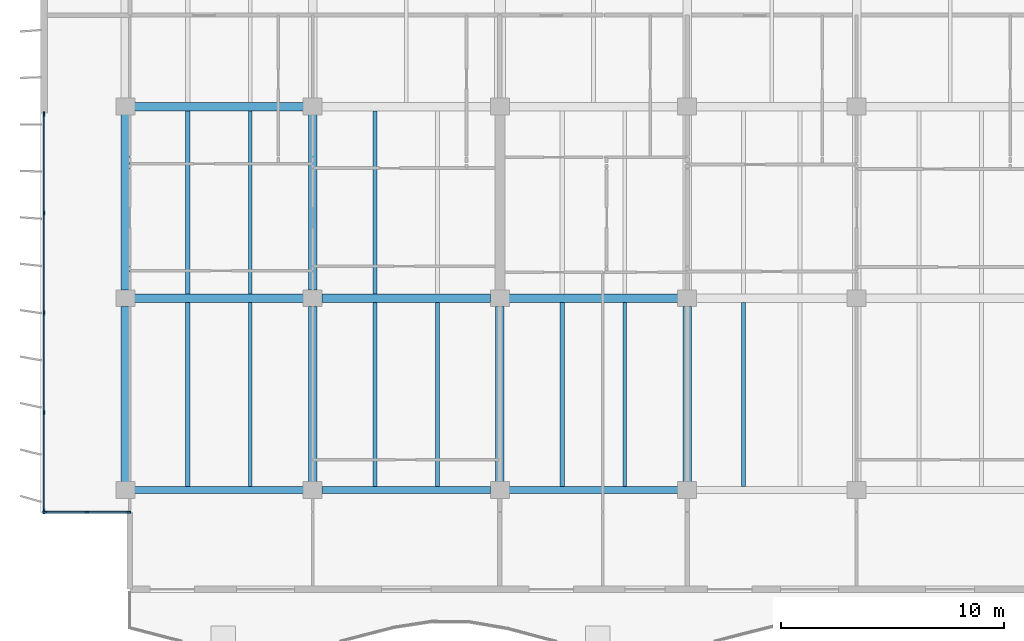
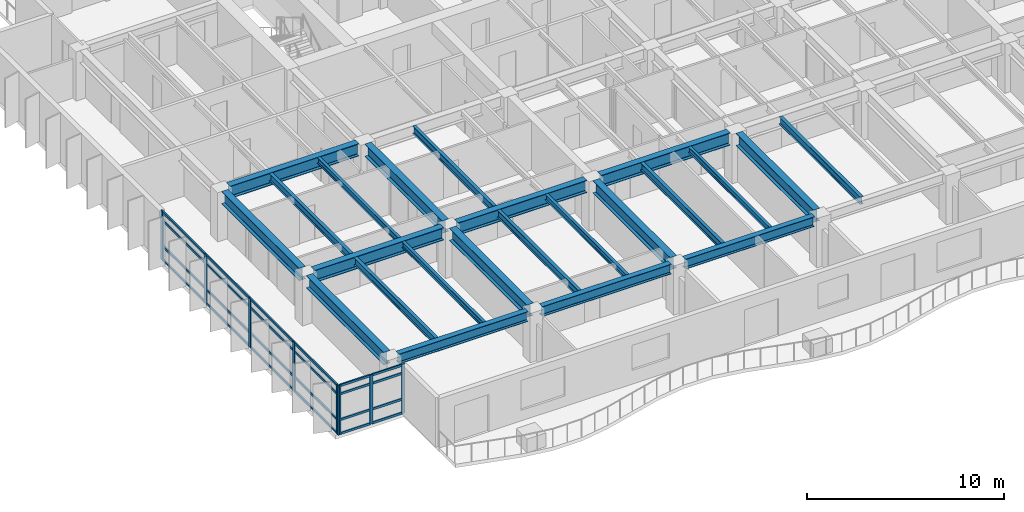
# One storey, part 2 of 19: 32 members, 23 beams, 2 elements without a shape of their own.
"""IFC4 building model written with IfcOpenShell, lengths in metres."""

from ifc_helpers import new_model, si_unit, direction, frame, origin, origin_2d, place, context, subcontext, project, spatial, rectangle, i_section, extrude, material, layer, layer_set, material_profile, profile_set, type_object, element, aggregate, save


model = new_model("IFC4")

# Units and contexts
model_context = context("Model", 3, precision=1e-05, world=origin(), true_north=direction((0.0, 1.0)))
body_context = subcontext(model_context, "Body", "Model", "MODEL_VIEW")
ifc_project = project(units=[si_unit("LENGTHUNIT", "METRE"), si_unit("AREAUNIT", "SQUARE_METRE"), si_unit("VOLUMEUNIT", "CUBIC_METRE"), si_unit("PLANEANGLEUNIT", "RADIAN"), si_unit("MASSUNIT", "GRAM", prefix="KILO")], contexts=[model_context])

# Site, building, storey
site_placement = place(None, origin())
site = spatial("IfcSite", under=ifc_project, at=site_placement, CompositionType="ELEMENT")
building_placement = place(site_placement, origin())
building = spatial("IfcBuilding", under=site, at=building_placement, Name="Caelmar Bay Residences", CompositionType="ELEMENT")
storey_placement = place(building_placement, frame((0.0, 0.0, 188.39990234375)))
storey = spatial("IfcBuildingStorey", under=building, at=storey_placement, Name="L52", CompositionType="ELEMENT", Elevation=188.39990234375)

# Beams
ifc_material_1 = material(Name="Steel ASTM A992 Grade 50", Category="steel")
ifc_material_profile_1 = material_profile(ifc_material_1, i_section(OverallWidth=0.381103515625, OverallDepth=0.77197265625, WebThickness=0.0166015625, FlangeThickness=0.027099609375, FilletRadius=0.0166015625, at=origin_2d()), Name="W30X173")
ifc_profile_set_1 = profile_set([ifc_material_profile_1], Name="Steel ASTM A992 Grade 50")
beam_type_1 = type_object("IfcBeamType", Name="BM-GRD-W30X173", PredefinedType="BEAM", material=ifc_profile_set_1)
beam_1_placement = place(storey_placement, frame((10.31494140625, 20.800048828125, 2.6640625), z_axis=(1.0, 0.0, 0.0), x_axis=(0.0, 1.0, 0.0)))
element("IfcBeam", 1, at=beam_1_placement, inside=storey, type_object=beam_type_1, Name="L52 East-West Girder Y=20.80 (9.9-18.3)", PredefinedType="BEAM", context=body_context, shape_type="SweptSolid", body=[
    extrude(i_section(OverallWidth=0.381103515625, OverallDepth=0.77197265625, WebThickness=0.0166015625, FlangeThickness=0.027099609375, FilletRadius=0.0166015625, at=origin_2d()), origin(), (0.0, 0.0, 1.0), 7.570068359375),
])
beam_2_placement = place(storey_placement, frame((18.715087890625, 20.800048828125, 2.6640625), z_axis=(1.0, 0.0, 0.0), x_axis=(0.0, 1.0, 0.0)))
element("IfcBeam", 2, at=beam_2_placement, inside=storey, type_object=beam_type_1, Name="L52 East-West Girder Y=20.80 (18.3-26.7)", PredefinedType="BEAM", context=body_context, shape_type="SweptSolid", body=[
    extrude(i_section(OverallWidth=0.381103515625, OverallDepth=0.77197265625, WebThickness=0.0166015625, FlangeThickness=0.027099609375, FilletRadius=0.0166015625, at=origin_2d()), origin(), (0.0, 0.0, 1.0), 7.56982421875),
])
for number, where, z_axis, x_axis, name in (
    (3, (27.114990234375, 20.800048828125, 2.6640625), (1.0, 0.0, 0.0), (0.0, 1.0, 0.0), "L52 East-West Girder Y=20.80 (26.7-35.1)"),
    (4, (10.31494140625, 29.39990234375, 2.6640625), (1.0, 0.0, 0.0), (0.0, 1.0, 0.0), "L52 East-West Girder Y=29.40 (9.9-18.3)"),
):
    element("IfcBeam", number, at=place(storey_placement, frame(where, z_axis=z_axis, x_axis=x_axis)), inside=storey, type_object=beam_type_1, Name=name, PredefinedType="BEAM", context=body_context, shape_type="SweptSolid", body=[
        extrude(i_section(OverallWidth=0.381103515625, OverallDepth=0.77197265625, WebThickness=0.0166015625, FlangeThickness=0.027099609375, FilletRadius=0.0166015625, at=origin_2d()), origin(), (0.0, 0.0, 1.0), 7.570068359375),
    ])
beam_3_placement = place(storey_placement, frame((9.89990234375, 12.56494140625, 2.6640625), z_axis=(0.0, 1.0, 0.0), x_axis=(-1.0, 0.0, 0.0)))
element("IfcBeam", 5, at=beam_3_placement, inside=storey, type_object=beam_type_1, Name="L52 North-South Girder X=9.90 (12.2-20.8)", PredefinedType="BEAM", context=body_context, shape_type="SweptSolid", body=[
    extrude(i_section(OverallWidth=0.381103515625, OverallDepth=0.77197265625, WebThickness=0.0166015625, FlangeThickness=0.027099609375, FilletRadius=0.0166015625, at=origin_2d()), origin(), (0.0, 0.0, 1.0), 7.8701171875),
])
beam_4_placement = place(storey_placement, frame((9.89990234375, 21.1650390625, 2.6640625), z_axis=(0.0, 1.0, 0.0), x_axis=(-1.0, 0.0, 0.0)))
element("IfcBeam", 6, at=beam_4_placement, inside=storey, type_object=beam_type_1, Name="L52 North-South Girder X=9.90 (20.8-29.4)", PredefinedType="BEAM", context=body_context, shape_type="SweptSolid", body=[
    extrude(i_section(OverallWidth=0.381103515625, OverallDepth=0.77197265625, WebThickness=0.0166015625, FlangeThickness=0.027099609375, FilletRadius=0.0166015625, at=origin_2d()), origin(), (0.0, 0.0, 1.0), 7.869873046875),
])
beam_5_placement = place(storey_placement, frame((18.300048828125, 12.56494140625, 2.6640625), z_axis=(0.0, 1.0, 0.0), x_axis=(-1.0, 0.0, 0.0)))
element("IfcBeam", 7, at=beam_5_placement, inside=storey, type_object=beam_type_1, Name="L52 North-South Girder X=18.30 (12.2-20.8)", PredefinedType="BEAM", context=body_context, shape_type="SweptSolid", body=[
    extrude(i_section(OverallWidth=0.381103515625, OverallDepth=0.77197265625, WebThickness=0.0166015625, FlangeThickness=0.027099609375, FilletRadius=0.0166015625, at=origin_2d()), origin(), (0.0, 0.0, 1.0), 7.8701171875),
])
beam_6_placement = place(storey_placement, frame((18.300048828125, 21.1650390625, 2.6640625), z_axis=(0.0, 1.0, 0.0), x_axis=(-1.0, 0.0, 0.0)))
element("IfcBeam", 8, at=beam_6_placement, inside=storey, type_object=beam_type_1, Name="L52 North-South Girder X=18.30 (20.8-29.4)", PredefinedType="BEAM", context=body_context, shape_type="SweptSolid", body=[
    extrude(i_section(OverallWidth=0.381103515625, OverallDepth=0.77197265625, WebThickness=0.0166015625, FlangeThickness=0.027099609375, FilletRadius=0.0166015625, at=origin_2d()), origin(), (0.0, 0.0, 1.0), 7.869873046875),
])
for number, where, z_axis, x_axis, name in (
    (9, (26.699951171875, 12.56494140625, 2.6640625), (0.0, 1.0, 0.0), (-1.0, 0.0, 0.0), "L52 North-South Girder X=26.70 (12.2-20.8)"),
    (10, (35.10009765625, 12.56494140625, 2.6640625), (0.0, 1.0, 0.0), (-1.0, 0.0, 0.0), "L52 North-South Girder X=35.10 (12.2-20.8)"),
):
    element("IfcBeam", number, at=place(storey_placement, frame(where, z_axis=z_axis, x_axis=x_axis)), inside=storey, type_object=beam_type_1, Name=name, PredefinedType="BEAM", context=body_context, shape_type="SweptSolid", body=[
        extrude(i_section(OverallWidth=0.381103515625, OverallDepth=0.77197265625, WebThickness=0.0166015625, FlangeThickness=0.027099609375, FilletRadius=0.0166015625, at=origin_2d()), origin(), (0.0, 0.0, 1.0), 7.8701171875),
    ])
ifc_material_profile_2 = material_profile(ifc_material_1, i_section(OverallWidth=0.1708984375, OverallDepth=0.35595703125, WebThickness=0.007080078125, FlangeThickness=0.01171875, FilletRadius=0.007568359375, at=origin_2d()), Name="W14X34")
ifc_profile_set_2 = profile_set([ifc_material_profile_2], Name="Steel ASTM A992 Grade 50")
beam_type_2 = type_object("IfcBeamType", Name="BM-JST-W14X34", PredefinedType="JOIST", material=ifc_profile_set_2)
for number, where, z_axis, x_axis, name in (
    (11, (15.5, 12.362548828125, 2.8720703125), (0.0, 1.0, 0.0), (-1.0, 0.0, 0.0), "L52 Composite Floor Joist 2"),
    (12, (23.89990234375, 12.362548828125, 2.8720703125), (0.0, 1.0, 0.0), (-1.0, 0.0, 0.0), "L52 Composite Floor Joist 4"),
    (13, (32.300048828125, 12.362548828125, 2.8720703125), (0.0, 1.0, 0.0), (-1.0, 0.0, 0.0), "L52 Composite Floor Joist 6"),
):
    element("IfcBeam", number, at=place(storey_placement, frame(where, z_axis=z_axis, x_axis=x_axis)), inside=storey, type_object=beam_type_2, Name=name, PredefinedType="JOIST", context=body_context, shape_type="SweptSolid", body=[
        extrude(i_section(OverallWidth=0.1708984375, OverallDepth=0.35595703125, WebThickness=0.007080078125, FlangeThickness=0.01171875, FilletRadius=0.007568359375, at=origin_2d()), origin(), (0.0, 0.0, 1.0), 8.2470703125),
    ])
beam_7_placement = place(storey_placement, frame((15.5, 20.990478515625, 2.8720703125), z_axis=(0.0, 1.0, 0.0), x_axis=(-1.0, 0.0, 0.0)))
element("IfcBeam", 14, at=beam_7_placement, inside=storey, type_object=beam_type_2, Name="L52 Composite Floor Joist 16", PredefinedType="JOIST", context=body_context, shape_type="SweptSolid", body=[
    extrude(i_section(OverallWidth=0.1708984375, OverallDepth=0.35595703125, WebThickness=0.007080078125, FlangeThickness=0.01171875, FilletRadius=0.007568359375, at=origin_2d()), origin(), (0.0, 0.0, 1.0), 8.218994140625),
])
ifc_material_profile_3 = material_profile(ifc_material_1, i_section(OverallWidth=0.19091796875, OverallDepth=0.45703125, WebThickness=0.009033203125, FlangeThickness=0.014404296875, FilletRadius=0.01025390625, at=origin_2d()), Name="W18X50")
ifc_profile_set_3 = profile_set([ifc_material_profile_3], Name="Steel ASTM A992 Grade 50")
beam_type_3 = type_object("IfcBeamType", Name="BM-JST-W18X50", PredefinedType="JOIST", material=ifc_profile_set_3)
for number, where, z_axis, x_axis, name in (
    (15, (12.699951171875, 12.362548828125, 2.821533203125), (0.0, 1.0, 0.0), (-1.0, 0.0, 0.0), "L52 Composite Floor Joist 1"),
    (16, (21.10009765625, 12.362548828125, 2.821533203125), (0.0, 1.0, 0.0), (-1.0, 0.0, 0.0), "L52 Composite Floor Joist 3"),
    (17, (29.5, 12.362548828125, 2.821533203125), (0.0, 1.0, 0.0), (-1.0, 0.0, 0.0), "L52 Composite Floor Joist 5"),
    (18, (37.63330078125, 12.362548828125, 2.821533203125), (0.0, 1.0, 0.0), (-1.0, 0.0, 0.0), "L52 Composite Floor Joist 7"),
):
    element("IfcBeam", number, at=place(storey_placement, frame(where, z_axis=z_axis, x_axis=x_axis)), inside=storey, type_object=beam_type_3, Name=name, PredefinedType="JOIST", context=body_context, shape_type="SweptSolid", body=[
        extrude(i_section(OverallWidth=0.19091796875, OverallDepth=0.45703125, WebThickness=0.009033203125, FlangeThickness=0.014404296875, FilletRadius=0.01025390625, at=origin_2d()), origin(), (0.0, 0.0, 1.0), 8.2470703125),
    ])
for number, where, z_axis, x_axis, name in (
    (19, (12.699951171875, 20.990478515625, 2.821533203125), (0.0, 1.0, 0.0), (-1.0, 0.0, 0.0), "L52 Composite Floor Joist 15"),
    (20, (21.10009765625, 20.990478515625, 2.821533203125), (0.0, 1.0, 0.0), (-1.0, 0.0, 0.0), "L52 Composite Floor Joist 17"),
):
    element("IfcBeam", number, at=place(storey_placement, frame(where, z_axis=z_axis, x_axis=x_axis)), inside=storey, type_object=beam_type_3, Name=name, PredefinedType="JOIST", context=body_context, shape_type="SweptSolid", body=[
        extrude(i_section(OverallWidth=0.19091796875, OverallDepth=0.45703125, WebThickness=0.009033203125, FlangeThickness=0.014404296875, FilletRadius=0.01025390625, at=origin_2d()), origin(), (0.0, 0.0, 1.0), 8.218994140625),
    ])
ifc_material_profile_4 = material_profile(ifc_material_1, i_section(OverallWidth=0.324951171875, OverallDepth=0.616943359375, WebThickness=0.013916015625, FlangeThickness=0.021484375, FilletRadius=0.0126953125, at=origin_2d()), Name="W24X117")
ifc_profile_set_4 = profile_set([ifc_material_profile_4], Name="Steel ASTM A992 Grade 50")
beam_type_4 = type_object("IfcBeamType", Name="BM-SPN-W24X117", PredefinedType="SPANDREL", material=ifc_profile_set_4)
beam_8_placement = place(storey_placement, frame((10.31494140625, 12.199951171875, 2.74169921875), z_axis=(1.0, 0.0, 0.0), x_axis=(0.0, 1.0, 0.0)))
element("IfcBeam", 21, at=beam_8_placement, inside=storey, type_object=beam_type_4, Name="L52 East-West Girder Y=12.20 (9.9-18.3)", PredefinedType="SPANDREL", context=body_context, shape_type="SweptSolid", body=[
    extrude(i_section(OverallWidth=0.324951171875, OverallDepth=0.616943359375, WebThickness=0.013916015625, FlangeThickness=0.021484375, FilletRadius=0.0126953125, at=origin_2d()), origin(), (0.0, 0.0, 1.0), 7.570068359375),
])
beam_9_placement = place(storey_placement, frame((18.715087890625, 12.199951171875, 2.74169921875), z_axis=(1.0, 0.0, 0.0), x_axis=(0.0, 1.0, 0.0)))
element("IfcBeam", 22, at=beam_9_placement, inside=storey, type_object=beam_type_4, Name="L52 East-West Girder Y=12.20 (18.3-26.7)", PredefinedType="SPANDREL", context=body_context, shape_type="SweptSolid", body=[
    extrude(i_section(OverallWidth=0.324951171875, OverallDepth=0.616943359375, WebThickness=0.013916015625, FlangeThickness=0.021484375, FilletRadius=0.0126953125, at=origin_2d()), origin(), (0.0, 0.0, 1.0), 7.56982421875),
])
beam_10_placement = place(storey_placement, frame((27.114990234375, 12.199951171875, 2.74169921875), z_axis=(1.0, 0.0, 0.0), x_axis=(0.0, 1.0, 0.0)))
element("IfcBeam", 23, at=beam_10_placement, inside=storey, type_object=beam_type_4, Name="L52 East-West Girder Y=12.20 (26.7-35.1)", PredefinedType="SPANDREL", context=body_context, shape_type="SweptSolid", body=[
    extrude(i_section(OverallWidth=0.324951171875, OverallDepth=0.616943359375, WebThickness=0.013916015625, FlangeThickness=0.021484375, FilletRadius=0.0126953125, at=origin_2d()), origin(), (0.0, 0.0, 1.0), 7.570068359375),
])

# Curtain wall, members
ifc_material_2 = material(Name="Anodised bronze aluminium 6063-T6 and laminated glass", Category="aluminium")
ifc_layer_1 = layer(ifc_material_2, 0.179931640625)
ifc_layer_set_1 = layer_set([ifc_layer_1], Name="Anodised bronze aluminium 6063-T6 and laminated glass")
curtain_wall_type_1 = type_object("IfcCurtainWallType", Name="CW6-NTC", PredefinedType="NOTDEFINED", material=ifc_layer_set_1)
curtain_wall_1_placement = place(storey_placement, origin())
curtain_wall_1 = element("IfcCurtainWall", 24, at=curtain_wall_1_placement, inside=storey, type_object=curtain_wall_type_1, Name="CW6 curtain wall L52", PredefinedType="NOTDEFINED")
ifc_material_3 = material(Name="Anodised bronze aluminium 6063-T6", Category="aluminium")
ifc_material_profile_5 = material_profile(ifc_material_3, rectangle(XDim=0.080078125, YDim=0.179931640625, at=origin_2d()), Name="CWM-80X180")
ifc_profile_set_5 = profile_set([ifc_material_profile_5], Name="Anodised bronze aluminium 6063-T6")
member_type_1 = type_object("IfcMemberType", Name="CWM-180", PredefinedType="MULLION", material=ifc_profile_set_5)
member_1_placement = place(storey_placement, frame((6.2900390625, 11.199951171875, 0.0), z_axis=(0.0, 0.0, 1.0), x_axis=(0.0, 1.0, 0.0)))
member_1 = element("IfcMember", 25, at=member_1_placement, type_object=member_type_1, Name="CW6 mullion 1", PredefinedType="MULLION", context=body_context, shape_type="SweptSolid", body=[
    extrude(rectangle(XDim=0.080078125, YDim=0.179931640625, at=origin_2d()), origin(), (0.0, 0.0, 1.0), 3.050048828125),
])
member_2_placement = place(storey_placement, frame((8.175048828125, 11.199951171875, 0.0), z_axis=(0.0, 0.0, 1.0), x_axis=(0.0, 1.0, 0.0)))
member_2 = element("IfcMember", 26, at=member_2_placement, type_object=member_type_1, Name="CW6 mullion 2", PredefinedType="MULLION", context=body_context, shape_type="SweptSolid", body=[
    extrude(rectangle(XDim=0.080078125, YDim=0.179931640625, at=origin_2d()), origin(), (0.0, 0.0, 1.0), 3.050048828125),
])
member_3_placement = place(storey_placement, frame((10.06005859375, 11.199951171875, 0.0), z_axis=(0.0, 0.0, 1.0), x_axis=(0.0, 1.0, 0.0)))
member_3 = element("IfcMember", 27, at=member_3_placement, type_object=member_type_1, Name="CW6 mullion 3", PredefinedType="MULLION", context=body_context, shape_type="SweptSolid", body=[
    extrude(rectangle(XDim=0.080078125, YDim=0.179931640625, at=origin_2d()), origin(), (0.0, 0.0, 1.0), 3.050048828125),
])

ifc_layer_2 = layer(ifc_material_2, 0.179931640625)
ifc_layer_set_2 = layer_set([ifc_layer_2], Name="Anodised bronze aluminium 6063-T6 and laminated glass")
curtain_wall_type_2 = type_object("IfcCurtainWallType", Name="CW4-Z3", PredefinedType="NOTDEFINED", material=ifc_layer_set_2)
curtain_wall_2_placement = place(storey_placement, origin())
curtain_wall_2 = element("IfcCurtainWall", 28, at=curtain_wall_2_placement, inside=storey, type_object=curtain_wall_type_2, Name="CW4 curtain wall L52", PredefinedType="NOTDEFINED")
ifc_material_profile_6 = material_profile(ifc_material_3, rectangle(XDim=0.080078125, YDim=0.219970703125, at=origin_2d()), Name="CWM-80X220")
ifc_profile_set_6 = profile_set([ifc_material_profile_6], Name="Anodised bronze aluminium 6063-T6")
member_type_2 = type_object("IfcMemberType", Name="CWM-220", PredefinedType="MULLION", material=ifc_profile_set_6)
member_4_placement = place(storey_placement, frame((6.25, 11.239990234375, 0.0), z_axis=(0.0, 0.0, 1.0), x_axis=(-1.0, 0.0, 0.0)))
member_4 = element("IfcMember", 29, at=member_4_placement, type_object=member_type_2, Name="CW4 mullion 1", PredefinedType="MULLION", context=body_context, shape_type="SweptSolid", body=[
    extrude(rectangle(XDim=0.080078125, YDim=0.219970703125, at=origin_2d()), origin(), (0.0, 0.0, 1.0), 3.050048828125),
])
member_5_placement = place(storey_placement, frame((6.25, 15.675048828125, 0.0), z_axis=(0.0, 0.0, 1.0), x_axis=(-1.0, 0.0, 0.0)))
member_5 = element("IfcMember", 30, at=member_5_placement, type_object=member_type_2, Name="CW4 mullion 2", PredefinedType="MULLION", context=body_context, shape_type="SweptSolid", body=[
    extrude(rectangle(XDim=0.080078125, YDim=0.219970703125, at=origin_2d()), origin(), (0.0, 0.0, 1.0), 3.050048828125),
])
member_6_placement = place(storey_placement, frame((6.25, 20.14990234375, 0.0), z_axis=(0.0, 0.0, 1.0), x_axis=(-1.0, 0.0, 0.0)))
member_6 = element("IfcMember", 31, at=member_6_placement, type_object=member_type_2, Name="CW4 mullion 3", PredefinedType="MULLION", context=body_context, shape_type="SweptSolid", body=[
    extrude(rectangle(XDim=0.080078125, YDim=0.219970703125, at=origin_2d()), origin(), (0.0, 0.0, 1.0), 3.050048828125),
])
member_7_placement = place(storey_placement, frame((6.25, 24.625, 0.0), z_axis=(0.0, 0.0, 1.0), x_axis=(-1.0, 0.0, 0.0)))
member_7 = element("IfcMember", 32, at=member_7_placement, type_object=member_type_2, Name="CW4 mullion 4", PredefinedType="MULLION", context=body_context, shape_type="SweptSolid", body=[
    extrude(rectangle(XDim=0.080078125, YDim=0.219970703125, at=origin_2d()), origin(), (0.0, 0.0, 1.0), 3.050048828125),
])
member_8_placement = place(storey_placement, frame((6.25, 29.06005859375, 0.0), z_axis=(0.0, 0.0, 1.0), x_axis=(-1.0, 0.0, 0.0)))
member_8 = element("IfcMember", 33, at=member_8_placement, type_object=member_type_2, Name="CW4 mullion 5", PredefinedType="MULLION", context=body_context, shape_type="SweptSolid", body=[
    extrude(rectangle(XDim=0.080078125, YDim=0.219970703125, at=origin_2d()), origin(), (0.0, 0.0, 1.0), 3.050048828125),
])

# Member
ifc_material_profile_7 = material_profile(ifc_material_3, rectangle(XDim=0.080078125, YDim=0.139892578125, at=origin_2d()), Name="CWT-80X140")
ifc_profile_set_7 = profile_set([ifc_material_profile_7], Name="Anodised bronze aluminium 6063-T6")
member_type_3 = type_object("IfcMemberType", Name="CWT-140", PredefinedType="NOTDEFINED", material=ifc_profile_set_7)
member_9_placement = place(storey_placement, frame((6.330078125, 11.199951171875, 0.0400390625), z_axis=(1.0, 0.0, 0.0), x_axis=(0.0, 1.0, 0.0)))
member_9 = element("IfcMember", 34, at=member_9_placement, type_object=member_type_3, Name="CW6 transom 1.1", ObjectType="TRANSOM", PredefinedType="USERDEFINED", context=body_context, shape_type="SweptSolid", body=[
    extrude(rectangle(XDim=0.080078125, YDim=0.139892578125, at=origin_2d()), origin(), (0.0, 0.0, 1.0), 1.804931640625),
])

member_10_placement = place(storey_placement, frame((6.330078125, 11.199951171875, 0.900146484375), z_axis=(1.0, 0.0, 0.0), x_axis=(0.0, 1.0, 0.0)))
member_10 = element("IfcMember", 35, at=member_10_placement, type_object=member_type_3, Name="CW6 transom 1.2", ObjectType="TRANSOM", PredefinedType="USERDEFINED", context=body_context, shape_type="SweptSolid", body=[
    extrude(rectangle(XDim=0.080078125, YDim=0.139892578125, at=origin_2d()), origin(), (0.0, 0.0, 1.0), 1.804931640625),
])

member_11_placement = place(storey_placement, frame((6.330078125, 11.199951171875, 2.5), z_axis=(1.0, 0.0, 0.0), x_axis=(0.0, 1.0, 0.0)))
member_11 = element("IfcMember", 36, at=member_11_placement, type_object=member_type_3, Name="CW6 transom 1.3", ObjectType="TRANSOM", PredefinedType="USERDEFINED", context=body_context, shape_type="SweptSolid", body=[
    extrude(rectangle(XDim=0.080078125, YDim=0.139892578125, at=origin_2d()), origin(), (0.0, 0.0, 1.0), 1.804931640625),
])

member_12_placement = place(storey_placement, frame((6.330078125, 11.199951171875, 3.010009765625), z_axis=(1.0, 0.0, 0.0), x_axis=(0.0, 1.0, 0.0)))
member_12 = element("IfcMember", 37, at=member_12_placement, type_object=member_type_3, Name="CW6 transom 1.4", ObjectType="TRANSOM", PredefinedType="USERDEFINED", context=body_context, shape_type="SweptSolid", body=[
    extrude(rectangle(XDim=0.080078125, YDim=0.139892578125, at=origin_2d()), origin(), (0.0, 0.0, 1.0), 1.804931640625),
])

member_13_placement = place(storey_placement, frame((8.215087890625, 11.199951171875, 0.0400390625), z_axis=(1.0, 0.0, 0.0), x_axis=(0.0, 1.0, 0.0)))
member_13 = element("IfcMember", 38, at=member_13_placement, type_object=member_type_3, Name="CW6 transom 2.1", ObjectType="TRANSOM", PredefinedType="USERDEFINED", context=body_context, shape_type="SweptSolid", body=[
    extrude(rectangle(XDim=0.080078125, YDim=0.139892578125, at=origin_2d()), origin(), (0.0, 0.0, 1.0), 1.804931640625),
])

member_14_placement = place(storey_placement, frame((8.215087890625, 11.199951171875, 0.900146484375), z_axis=(1.0, 0.0, 0.0), x_axis=(0.0, 1.0, 0.0)))
member_14 = element("IfcMember", 39, at=member_14_placement, type_object=member_type_3, Name="CW6 transom 2.2", ObjectType="TRANSOM", PredefinedType="USERDEFINED", context=body_context, shape_type="SweptSolid", body=[
    extrude(rectangle(XDim=0.080078125, YDim=0.139892578125, at=origin_2d()), origin(), (0.0, 0.0, 1.0), 1.804931640625),
])

member_15_placement = place(storey_placement, frame((8.215087890625, 11.199951171875, 2.5), z_axis=(1.0, 0.0, 0.0), x_axis=(0.0, 1.0, 0.0)))
member_15 = element("IfcMember", 40, at=member_15_placement, type_object=member_type_3, Name="CW6 transom 2.3", ObjectType="TRANSOM", PredefinedType="USERDEFINED", context=body_context, shape_type="SweptSolid", body=[
    extrude(rectangle(XDim=0.080078125, YDim=0.139892578125, at=origin_2d()), origin(), (0.0, 0.0, 1.0), 1.804931640625),
])

member_16_placement = place(storey_placement, frame((8.215087890625, 11.199951171875, 3.010009765625), z_axis=(1.0, 0.0, 0.0), x_axis=(0.0, 1.0, 0.0)))
member_16 = element("IfcMember", 41, at=member_16_placement, type_object=member_type_3, Name="CW6 transom 2.4", ObjectType="TRANSOM", PredefinedType="USERDEFINED", context=body_context, shape_type="SweptSolid", body=[
    extrude(rectangle(XDim=0.080078125, YDim=0.139892578125, at=origin_2d()), origin(), (0.0, 0.0, 1.0), 1.804931640625),
])

aggregate(curtain_wall_1, [member_1, member_2, member_3, member_9, member_10, member_11, member_12, member_13, member_14, member_15, member_16])

member_17_placement = place(storey_placement, frame((6.25, 11.280029296875, 0.0400390625), z_axis=(0.0, 1.0, 0.0), x_axis=(-1.0, 0.0, 0.0)))
member_17 = element("IfcMember", 42, at=member_17_placement, type_object=member_type_3, Name="CW4 transom 1.1", ObjectType="TRANSOM", PredefinedType="USERDEFINED", context=body_context, shape_type="SweptSolid", body=[
    extrude(rectangle(XDim=0.080078125, YDim=0.139892578125, at=origin_2d()), origin(), (0.0, 0.0, 1.0), 4.35498046875),
])

member_18_placement = place(storey_placement, frame((6.25, 11.280029296875, 0.900146484375), z_axis=(0.0, 1.0, 0.0), x_axis=(-1.0, 0.0, 0.0)))
member_18 = element("IfcMember", 43, at=member_18_placement, type_object=member_type_3, Name="CW4 transom 1.2", ObjectType="TRANSOM", PredefinedType="USERDEFINED", context=body_context, shape_type="SweptSolid", body=[
    extrude(rectangle(XDim=0.080078125, YDim=0.139892578125, at=origin_2d()), origin(), (0.0, 0.0, 1.0), 4.35498046875),
])

member_19_placement = place(storey_placement, frame((6.25, 11.280029296875, 2.5), z_axis=(0.0, 1.0, 0.0), x_axis=(-1.0, 0.0, 0.0)))
member_19 = element("IfcMember", 44, at=member_19_placement, type_object=member_type_3, Name="CW4 transom 1.3", ObjectType="TRANSOM", PredefinedType="USERDEFINED", context=body_context, shape_type="SweptSolid", body=[
    extrude(rectangle(XDim=0.080078125, YDim=0.139892578125, at=origin_2d()), origin(), (0.0, 0.0, 1.0), 4.35498046875),
])

member_20_placement = place(storey_placement, frame((6.25, 11.280029296875, 3.010009765625), z_axis=(0.0, 1.0, 0.0), x_axis=(-1.0, 0.0, 0.0)))
member_20 = element("IfcMember", 45, at=member_20_placement, type_object=member_type_3, Name="CW4 transom 1.4", ObjectType="TRANSOM", PredefinedType="USERDEFINED", context=body_context, shape_type="SweptSolid", body=[
    extrude(rectangle(XDim=0.080078125, YDim=0.139892578125, at=origin_2d()), origin(), (0.0, 0.0, 1.0), 4.35498046875),
])

member_21_placement = place(storey_placement, frame((6.25, 15.715087890625, 0.0400390625), z_axis=(0.0, 1.0, 0.0), x_axis=(-1.0, 0.0, 0.0)))
member_21 = element("IfcMember", 46, at=member_21_placement, type_object=member_type_3, Name="CW4 transom 2.1", ObjectType="TRANSOM", PredefinedType="USERDEFINED", context=body_context, shape_type="SweptSolid", body=[
    extrude(rectangle(XDim=0.080078125, YDim=0.139892578125, at=origin_2d()), origin(), (0.0, 0.0, 1.0), 4.39501953125),
])

member_22_placement = place(storey_placement, frame((6.25, 15.715087890625, 0.900146484375), z_axis=(0.0, 1.0, 0.0), x_axis=(-1.0, 0.0, 0.0)))
member_22 = element("IfcMember", 47, at=member_22_placement, type_object=member_type_3, Name="CW4 transom 2.2", ObjectType="TRANSOM", PredefinedType="USERDEFINED", context=body_context, shape_type="SweptSolid", body=[
    extrude(rectangle(XDim=0.080078125, YDim=0.139892578125, at=origin_2d()), origin(), (0.0, 0.0, 1.0), 4.39501953125),
])

member_23_placement = place(storey_placement, frame((6.25, 15.715087890625, 2.5), z_axis=(0.0, 1.0, 0.0), x_axis=(-1.0, 0.0, 0.0)))
member_23 = element("IfcMember", 48, at=member_23_placement, type_object=member_type_3, Name="CW4 transom 2.3", ObjectType="TRANSOM", PredefinedType="USERDEFINED", context=body_context, shape_type="SweptSolid", body=[
    extrude(rectangle(XDim=0.080078125, YDim=0.139892578125, at=origin_2d()), origin(), (0.0, 0.0, 1.0), 4.39501953125),
])

member_24_placement = place(storey_placement, frame((6.25, 15.715087890625, 3.010009765625), z_axis=(0.0, 1.0, 0.0), x_axis=(-1.0, 0.0, 0.0)))
member_24 = element("IfcMember", 49, at=member_24_placement, type_object=member_type_3, Name="CW4 transom 2.4", ObjectType="TRANSOM", PredefinedType="USERDEFINED", context=body_context, shape_type="SweptSolid", body=[
    extrude(rectangle(XDim=0.080078125, YDim=0.139892578125, at=origin_2d()), origin(), (0.0, 0.0, 1.0), 4.39501953125),
])

member_25_placement = place(storey_placement, frame((6.25, 20.18994140625, 0.0400390625), z_axis=(0.0, 1.0, 0.0), x_axis=(-1.0, 0.0, 0.0)))
member_25 = element("IfcMember", 50, at=member_25_placement, type_object=member_type_3, Name="CW4 transom 3.1", ObjectType="TRANSOM", PredefinedType="USERDEFINED", context=body_context, shape_type="SweptSolid", body=[
    extrude(rectangle(XDim=0.080078125, YDim=0.139892578125, at=origin_2d()), origin(), (0.0, 0.0, 1.0), 4.39501953125),
])

member_26_placement = place(storey_placement, frame((6.25, 20.18994140625, 0.900146484375), z_axis=(0.0, 1.0, 0.0), x_axis=(-1.0, 0.0, 0.0)))
member_26 = element("IfcMember", 51, at=member_26_placement, type_object=member_type_3, Name="CW4 transom 3.2", ObjectType="TRANSOM", PredefinedType="USERDEFINED", context=body_context, shape_type="SweptSolid", body=[
    extrude(rectangle(XDim=0.080078125, YDim=0.139892578125, at=origin_2d()), origin(), (0.0, 0.0, 1.0), 4.39501953125),
])

member_27_placement = place(storey_placement, frame((6.25, 20.18994140625, 2.5), z_axis=(0.0, 1.0, 0.0), x_axis=(-1.0, 0.0, 0.0)))
member_27 = element("IfcMember", 52, at=member_27_placement, type_object=member_type_3, Name="CW4 transom 3.3", ObjectType="TRANSOM", PredefinedType="USERDEFINED", context=body_context, shape_type="SweptSolid", body=[
    extrude(rectangle(XDim=0.080078125, YDim=0.139892578125, at=origin_2d()), origin(), (0.0, 0.0, 1.0), 4.39501953125),
])

member_28_placement = place(storey_placement, frame((6.25, 20.18994140625, 3.010009765625), z_axis=(0.0, 1.0, 0.0), x_axis=(-1.0, 0.0, 0.0)))
member_28 = element("IfcMember", 53, at=member_28_placement, type_object=member_type_3, Name="CW4 transom 3.4", ObjectType="TRANSOM", PredefinedType="USERDEFINED", context=body_context, shape_type="SweptSolid", body=[
    extrude(rectangle(XDim=0.080078125, YDim=0.139892578125, at=origin_2d()), origin(), (0.0, 0.0, 1.0), 4.39501953125),
])

member_29_placement = place(storey_placement, frame((6.25, 24.6650390625, 0.0400390625), z_axis=(0.0, 1.0, 0.0), x_axis=(-1.0, 0.0, 0.0)))
member_29 = element("IfcMember", 54, at=member_29_placement, type_object=member_type_3, Name="CW4 transom 4.1", ObjectType="TRANSOM", PredefinedType="USERDEFINED", context=body_context, shape_type="SweptSolid", body=[
    extrude(rectangle(XDim=0.080078125, YDim=0.139892578125, at=origin_2d()), origin(), (0.0, 0.0, 1.0), 4.35498046875),
])

member_30_placement = place(storey_placement, frame((6.25, 24.6650390625, 0.900146484375), z_axis=(0.0, 1.0, 0.0), x_axis=(-1.0, 0.0, 0.0)))
member_30 = element("IfcMember", 55, at=member_30_placement, type_object=member_type_3, Name="CW4 transom 4.2", ObjectType="TRANSOM", PredefinedType="USERDEFINED", context=body_context, shape_type="SweptSolid", body=[
    extrude(rectangle(XDim=0.080078125, YDim=0.139892578125, at=origin_2d()), origin(), (0.0, 0.0, 1.0), 4.35498046875),
])

member_31_placement = place(storey_placement, frame((6.25, 24.6650390625, 2.5), z_axis=(0.0, 1.0, 0.0), x_axis=(-1.0, 0.0, 0.0)))
member_31 = element("IfcMember", 56, at=member_31_placement, type_object=member_type_3, Name="CW4 transom 4.3", ObjectType="TRANSOM", PredefinedType="USERDEFINED", context=body_context, shape_type="SweptSolid", body=[
    extrude(rectangle(XDim=0.080078125, YDim=0.139892578125, at=origin_2d()), origin(), (0.0, 0.0, 1.0), 4.35498046875),
])

member_32_placement = place(storey_placement, frame((6.25, 24.6650390625, 3.010009765625), z_axis=(0.0, 1.0, 0.0), x_axis=(-1.0, 0.0, 0.0)))
member_32 = element("IfcMember", 57, at=member_32_placement, type_object=member_type_3, Name="CW4 transom 4.4", ObjectType="TRANSOM", PredefinedType="USERDEFINED", context=body_context, shape_type="SweptSolid", body=[
    extrude(rectangle(XDim=0.080078125, YDim=0.139892578125, at=origin_2d()), origin(), (0.0, 0.0, 1.0), 4.35498046875),
])

aggregate(curtain_wall_2, [member_4, member_5, member_6, member_7, member_8, member_17, member_18, member_19, member_20, member_21, member_22, member_23, member_24, member_25, member_26, member_27, member_28, member_29, member_30, member_31, member_32])

save(model, "model.ifc")
